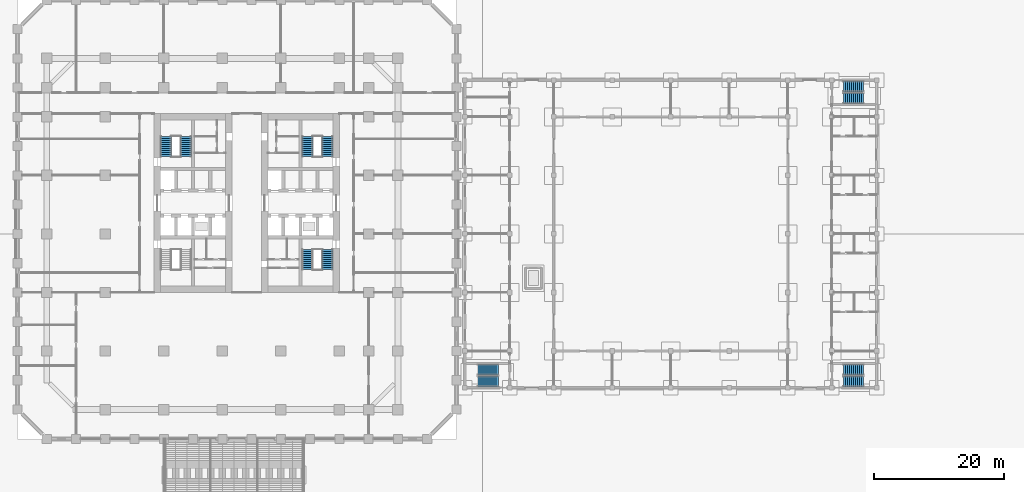
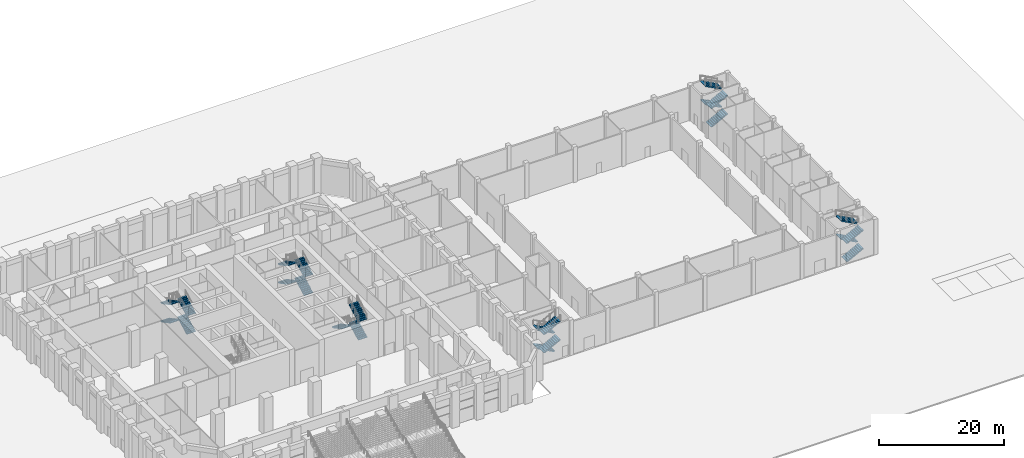
# One storey, part 21 of 30: 23 stair flights, 6 elements without a shape of their own.
"""IFC4 building model written with IfcOpenShell, lengths in metres."""

from ifc_helpers import new_model, si_unit, direction, frame, origin, place, context, subcontext, project, spatial, polyline, outline, extrude, material, type_object, element, aggregate, save


model = new_model("IFC4")

# Units and contexts
model_context = context("Model", 3, precision=1e-05, world=origin(), true_north=direction((0.0, 1.0)))
body_context = subcontext(model_context, "Body", "Model", "MODEL_VIEW")
ifc_project = project(units=[si_unit("LENGTHUNIT", "METRE"), si_unit("AREAUNIT", "SQUARE_METRE"), si_unit("VOLUMEUNIT", "CUBIC_METRE"), si_unit("PLANEANGLEUNIT", "RADIAN"), si_unit("MASSUNIT", "GRAM", prefix="KILO")], contexts=[model_context])

# Site, building, storey
site_placement = place(None, origin())
site = spatial("IfcSite", under=ifc_project, at=site_placement, CompositionType="ELEMENT")
building_placement = place(site_placement, origin())
building = spatial("IfcBuilding", under=site, at=building_placement, Name="Corbel Stack Research Tower", CompositionType="ELEMENT")
storey_placement = place(building_placement, origin())
storey = spatial("IfcBuildingStorey", under=building, at=storey_placement, Name="L00", CompositionType="ELEMENT", Elevation=0.0)

# Stair, stair flights
ifc_material_1 = material(Name="Concrete C40/50", Category="concrete")
stair_type_1 = type_object("IfcStairType", Name="HST1 exit stair", PredefinedType="HALF_TURN_STAIR", material=ifc_material_1)
stair_1_placement = place(storey_placement, origin())
stair_1 = element("IfcStair", 1, at=stair_1_placement, inside=storey, type_object=stair_type_1, Name="L00 exit stair 1", PredefinedType="HALF_TURN_STAIR")
ifc_material_2 = material(Name="Concrete C40/50", Category="concrete")
stair_flight_type_1 = type_object("IfcStairFlightType", Name="HST2 stair flight", PredefinedType="STRAIGHT", material=ifc_material_2)
stair_flight_1_placement = place(storey_placement, frame((42.425048828125, -20.875, 0.0), z_axis=(0.0, 0.0, 1.0), x_axis=(-1.0, 0.0, 0.0)))
stair_flight_1 = element("IfcStairFlight", 2, at=stair_flight_1_placement, type_object=stair_flight_type_1, Name="HS1 flight 1", NumberOfRisers=11, NumberOfTreads=10, PredefinedType="STRAIGHT", RiserHeight=0.163636364, TreadLength=0.31, context=body_context, shape_type="SweptSolid", body=[
    extrude(outline(polyline([(0.0, 0.0), (0.0, 0.16357421875), (0.31005859375, 0.16357421875), (0.31005859375, 0.327392578125), (0.6201171875, 0.327392578125), (0.6201171875, 0.490966796875), (0.929931640625, 0.490966796875), (0.929931640625, 0.654541015625), (1.239990234375, 0.654541015625), (1.239990234375, 0.818115234375), (1.550048828125, 0.818115234375), (1.550048828125, 0.98193359375), (1.860107421875, 0.98193359375), (1.860107421875, 1.1455078125), (2.169921875, 1.1455078125), (2.169921875, 1.30908203125), (2.47998046875, 1.30908203125), (2.47998046875, 1.47265625), (2.7900390625, 1.47265625), (2.7900390625, 1.636474609375), (3.10009765625, 1.636474609375), (3.10009765625, 1.800048828125), (3.10009765625, 1.466796875), (0.321044921875, 0.0), (0.0, 0.0)])), frame((0.0, 0.824951171875, 0.0), z_axis=(0.0, -1.0, 0.0), x_axis=(1.0, 0.0, 0.0)), (0.0, 0.0, 1.0), 1.64990234375),
])
stair_flight_2_placement = place(storey_placement, frame((39.324951171875, -22.675048828125, 1.800048828125), z_axis=(0.0, 0.0, 1.0), x_axis=(1.0, 0.0, 0.0)))
stair_flight_2 = element("IfcStairFlight", 3, at=stair_flight_2_placement, type_object=stair_flight_type_1, Name="HS1 flight 2", NumberOfRisers=11, NumberOfTreads=10, PredefinedType="STRAIGHT", RiserHeight=0.163636364, TreadLength=0.31, context=body_context, shape_type="SweptSolid", body=[
    extrude(outline(polyline([(0.0, 0.0), (0.0, 0.16357421875), (0.31005859375, 0.16357421875), (0.31005859375, 0.327392578125), (0.6201171875, 0.327392578125), (0.6201171875, 0.490966796875), (0.929931640625, 0.490966796875), (0.929931640625, 0.654541015625), (1.239990234375, 0.654541015625), (1.239990234375, 0.818115234375), (1.550048828125, 0.818115234375), (1.550048828125, 0.98193359375), (1.860107421875, 0.98193359375), (1.860107421875, 1.1455078125), (2.169921875, 1.1455078125), (2.169921875, 1.30908203125), (2.47998046875, 1.30908203125), (2.47998046875, 1.47265625), (2.7900390625, 1.47265625), (2.7900390625, 1.636474609375), (3.10009765625, 1.636474609375), (3.10009765625, 1.800048828125), (3.10009765625, 1.466796875), (0.321044921875, 0.0), (0.0, 0.0)])), frame((0.0, 0.824951171875, 0.0), z_axis=(0.0, -1.0, 0.0), x_axis=(1.0, 0.0, 0.0)), (0.0, 0.0, 1.0), 1.64990234375),
])
stair_flight_3_placement = place(storey_placement, frame((42.425048828125, -20.875, 3.60009765625), z_axis=(0.0, 0.0, 1.0), x_axis=(-1.0, 0.0, 0.0)))
stair_flight_3 = element("IfcStairFlight", 4, at=stair_flight_3_placement, type_object=stair_flight_type_1, Name="HS1 flight 3", NumberOfRisers=11, NumberOfTreads=10, PredefinedType="STRAIGHT", RiserHeight=0.163636364, TreadLength=0.31, context=body_context, shape_type="SweptSolid", body=[
    extrude(outline(polyline([(0.0, 0.0), (0.0, 0.16357421875), (0.31005859375, 0.16357421875), (0.31005859375, 0.327392578125), (0.6201171875, 0.327392578125), (0.6201171875, 0.490966796875), (0.929931640625, 0.490966796875), (0.929931640625, 0.654541015625), (1.239990234375, 0.654541015625), (1.239990234375, 0.818115234375), (1.550048828125, 0.818115234375), (1.550048828125, 0.98193359375), (1.860107421875, 0.98193359375), (1.860107421875, 1.1455078125), (2.169921875, 1.1455078125), (2.169921875, 1.30908203125), (2.47998046875, 1.30908203125), (2.47998046875, 1.47265625), (2.7900390625, 1.47265625), (2.7900390625, 1.636474609375), (3.10009765625, 1.636474609375), (3.10009765625, 1.800048828125), (3.10009765625, 1.466796875), (0.321044921875, 0.0), (0.0, 0.0)])), frame((0.0, 0.824951171875, 0.0), z_axis=(0.0, -1.0, 0.0), x_axis=(1.0, 0.0, 0.0)), (0.0, 0.0, 1.0), 1.64990234375),
])
stair_flight_4_placement = place(storey_placement, frame((39.324951171875, -22.675048828125, 5.39990234375), z_axis=(0.0, 0.0, 1.0), x_axis=(1.0, 0.0, 0.0)))
stair_flight_4 = element("IfcStairFlight", 5, at=stair_flight_4_placement, type_object=stair_flight_type_1, Name="HS1 flight 4", NumberOfRisers=11, NumberOfTreads=10, PredefinedType="STRAIGHT", RiserHeight=0.163636364, TreadLength=0.31, context=body_context, shape_type="SweptSolid", body=[
    extrude(outline(polyline([(0.0, 0.0), (0.0, 0.16357421875), (0.31005859375, 0.16357421875), (0.31005859375, 0.327392578125), (0.6201171875, 0.327392578125), (0.6201171875, 0.490966796875), (0.929931640625, 0.490966796875), (0.929931640625, 0.654541015625), (1.239990234375, 0.654541015625), (1.239990234375, 0.818115234375), (1.550048828125, 0.818115234375), (1.550048828125, 0.98193359375), (1.860107421875, 0.98193359375), (1.860107421875, 1.1455078125), (2.169921875, 1.1455078125), (2.169921875, 1.30908203125), (2.47998046875, 1.30908203125), (2.47998046875, 1.47265625), (2.7900390625, 1.47265625), (2.7900390625, 1.636474609375), (3.10009765625, 1.636474609375), (3.10009765625, 1.800048828125), (3.10009765625, 1.466796875), (0.321044921875, 0.0), (0.0, 0.0)])), frame((0.0, 0.824951171875, 0.0), z_axis=(0.0, -1.0, 0.0), x_axis=(1.0, 0.0, 0.0)), (0.0, 0.0, 1.0), 1.64990234375),
])
aggregate(stair_1, [stair_flight_1, stair_flight_2, stair_flight_3, stair_flight_4])

stair_2_placement = place(storey_placement, origin())
stair_2 = element("IfcStair", 6, at=stair_2_placement, inside=storey, type_object=stair_type_1, Name="L00 exit stair 2", PredefinedType="HALF_TURN_STAIR")
stair_flight_5_placement = place(storey_placement, frame((95.47509765625, 20.875, 0.0), z_axis=(0.0, 0.0, 1.0), x_axis=(1.0, 0.0, 0.0)))
stair_flight_5 = element("IfcStairFlight", 7, at=stair_flight_5_placement, type_object=stair_flight_type_1, Name="HS2 flight 1", NumberOfRisers=11, NumberOfTreads=10, PredefinedType="STRAIGHT", RiserHeight=0.163636364, TreadLength=0.31, context=body_context, shape_type="SweptSolid", body=[
    extrude(outline(polyline([(0.0, 0.0), (0.0, 0.16357421875), (0.31005859375, 0.16357421875), (0.31005859375, 0.327392578125), (0.6201171875, 0.327392578125), (0.6201171875, 0.490966796875), (0.929931640625, 0.490966796875), (0.929931640625, 0.654541015625), (1.239990234375, 0.654541015625), (1.239990234375, 0.818115234375), (1.550048828125, 0.818115234375), (1.550048828125, 0.98193359375), (1.860107421875, 0.98193359375), (1.860107421875, 1.1455078125), (2.169921875, 1.1455078125), (2.169921875, 1.30908203125), (2.47998046875, 1.30908203125), (2.47998046875, 1.47265625), (2.7900390625, 1.47265625), (2.7900390625, 1.636474609375), (3.10009765625, 1.636474609375), (3.10009765625, 1.800048828125), (3.10009765625, 1.466796875), (0.321044921875, 0.0), (0.0, 0.0)])), frame((0.0, 0.824951171875, 0.0), z_axis=(0.0, -1.0, 0.0), x_axis=(1.0, 0.0, 0.0)), (0.0, 0.0, 1.0), 1.64990234375),
])
stair_flight_6_placement = place(storey_placement, frame((98.574951171875, 22.675048828125, 1.800048828125), z_axis=(0.0, 0.0, 1.0), x_axis=(-1.0, 0.0, 0.0)))
stair_flight_6 = element("IfcStairFlight", 8, at=stair_flight_6_placement, type_object=stair_flight_type_1, Name="HS2 flight 2", NumberOfRisers=11, NumberOfTreads=10, PredefinedType="STRAIGHT", RiserHeight=0.163636364, TreadLength=0.31, context=body_context, shape_type="SweptSolid", body=[
    extrude(outline(polyline([(0.0, 0.0), (0.0, 0.16357421875), (0.31005859375, 0.16357421875), (0.31005859375, 0.327392578125), (0.6201171875, 0.327392578125), (0.6201171875, 0.490966796875), (0.929931640625, 0.490966796875), (0.929931640625, 0.654541015625), (1.239990234375, 0.654541015625), (1.239990234375, 0.818115234375), (1.550048828125, 0.818115234375), (1.550048828125, 0.98193359375), (1.860107421875, 0.98193359375), (1.860107421875, 1.1455078125), (2.169921875, 1.1455078125), (2.169921875, 1.30908203125), (2.47998046875, 1.30908203125), (2.47998046875, 1.47265625), (2.7900390625, 1.47265625), (2.7900390625, 1.636474609375), (3.10009765625, 1.636474609375), (3.10009765625, 1.800048828125), (3.10009765625, 1.466796875), (0.321044921875, 0.0), (0.0, 0.0)])), frame((0.0, 0.824951171875, 0.0), z_axis=(0.0, -1.0, 0.0), x_axis=(1.0, 0.0, 0.0)), (0.0, 0.0, 1.0), 1.64990234375),
])
stair_flight_7_placement = place(storey_placement, frame((95.47509765625, 20.875, 3.60009765625), z_axis=(0.0, 0.0, 1.0), x_axis=(1.0, 0.0, 0.0)))
stair_flight_7 = element("IfcStairFlight", 9, at=stair_flight_7_placement, type_object=stair_flight_type_1, Name="HS2 flight 3", NumberOfRisers=11, NumberOfTreads=10, PredefinedType="STRAIGHT", RiserHeight=0.163636364, TreadLength=0.31, context=body_context, shape_type="SweptSolid", body=[
    extrude(outline(polyline([(0.0, 0.0), (0.0, 0.16357421875), (0.31005859375, 0.16357421875), (0.31005859375, 0.327392578125), (0.6201171875, 0.327392578125), (0.6201171875, 0.490966796875), (0.929931640625, 0.490966796875), (0.929931640625, 0.654541015625), (1.239990234375, 0.654541015625), (1.239990234375, 0.818115234375), (1.550048828125, 0.818115234375), (1.550048828125, 0.98193359375), (1.860107421875, 0.98193359375), (1.860107421875, 1.1455078125), (2.169921875, 1.1455078125), (2.169921875, 1.30908203125), (2.47998046875, 1.30908203125), (2.47998046875, 1.47265625), (2.7900390625, 1.47265625), (2.7900390625, 1.636474609375), (3.10009765625, 1.636474609375), (3.10009765625, 1.800048828125), (3.10009765625, 1.466796875), (0.321044921875, 0.0), (0.0, 0.0)])), frame((0.0, 0.824951171875, 0.0), z_axis=(0.0, -1.0, 0.0), x_axis=(1.0, 0.0, 0.0)), (0.0, 0.0, 1.0), 1.64990234375),
])
stair_flight_8_placement = place(storey_placement, frame((98.574951171875, 22.675048828125, 5.39990234375), z_axis=(0.0, 0.0, 1.0), x_axis=(-1.0, 0.0, 0.0)))
stair_flight_8 = element("IfcStairFlight", 10, at=stair_flight_8_placement, type_object=stair_flight_type_1, Name="HS2 flight 4", NumberOfRisers=11, NumberOfTreads=10, PredefinedType="STRAIGHT", RiserHeight=0.163636364, TreadLength=0.31, context=body_context, shape_type="SweptSolid", body=[
    extrude(outline(polyline([(0.0, 0.0), (0.0, 0.16357421875), (0.31005859375, 0.16357421875), (0.31005859375, 0.327392578125), (0.6201171875, 0.327392578125), (0.6201171875, 0.490966796875), (0.929931640625, 0.490966796875), (0.929931640625, 0.654541015625), (1.239990234375, 0.654541015625), (1.239990234375, 0.818115234375), (1.550048828125, 0.818115234375), (1.550048828125, 0.98193359375), (1.860107421875, 0.98193359375), (1.860107421875, 1.1455078125), (2.169921875, 1.1455078125), (2.169921875, 1.30908203125), (2.47998046875, 1.30908203125), (2.47998046875, 1.47265625), (2.7900390625, 1.47265625), (2.7900390625, 1.636474609375), (3.10009765625, 1.636474609375), (3.10009765625, 1.800048828125), (3.10009765625, 1.466796875), (0.321044921875, 0.0), (0.0, 0.0)])), frame((0.0, 0.824951171875, 0.0), z_axis=(0.0, -1.0, 0.0), x_axis=(1.0, 0.0, 0.0)), (0.0, 0.0, 1.0), 1.64990234375),
])
aggregate(stair_2, [stair_flight_5, stair_flight_6, stair_flight_7, stair_flight_8])

stair_3_placement = place(storey_placement, origin())
stair_3 = element("IfcStair", 11, at=stair_3_placement, inside=storey, type_object=stair_type_1, Name="L00 exit stair 3", PredefinedType="HALF_TURN_STAIR")
stair_flight_9_placement = place(storey_placement, frame((95.47509765625, -22.675048828125, 0.0), z_axis=(0.0, 0.0, 1.0), x_axis=(1.0, 0.0, 0.0)))
stair_flight_9 = element("IfcStairFlight", 12, at=stair_flight_9_placement, type_object=stair_flight_type_1, Name="HS3 flight 1", NumberOfRisers=11, NumberOfTreads=10, PredefinedType="STRAIGHT", RiserHeight=0.163636364, TreadLength=0.31, context=body_context, shape_type="SweptSolid", body=[
    extrude(outline(polyline([(0.0, 0.0), (0.0, 0.16357421875), (0.31005859375, 0.16357421875), (0.31005859375, 0.327392578125), (0.6201171875, 0.327392578125), (0.6201171875, 0.490966796875), (0.929931640625, 0.490966796875), (0.929931640625, 0.654541015625), (1.239990234375, 0.654541015625), (1.239990234375, 0.818115234375), (1.550048828125, 0.818115234375), (1.550048828125, 0.98193359375), (1.860107421875, 0.98193359375), (1.860107421875, 1.1455078125), (2.169921875, 1.1455078125), (2.169921875, 1.30908203125), (2.47998046875, 1.30908203125), (2.47998046875, 1.47265625), (2.7900390625, 1.47265625), (2.7900390625, 1.636474609375), (3.10009765625, 1.636474609375), (3.10009765625, 1.800048828125), (3.10009765625, 1.466796875), (0.321044921875, 0.0), (0.0, 0.0)])), frame((0.0, 0.824951171875, 0.0), z_axis=(0.0, -1.0, 0.0), x_axis=(1.0, 0.0, 0.0)), (0.0, 0.0, 1.0), 1.64990234375),
])
stair_flight_10_placement = place(storey_placement, frame((98.574951171875, -20.875, 1.800048828125), z_axis=(0.0, 0.0, 1.0), x_axis=(-1.0, 0.0, 0.0)))
stair_flight_10 = element("IfcStairFlight", 13, at=stair_flight_10_placement, type_object=stair_flight_type_1, Name="HS3 flight 2", NumberOfRisers=11, NumberOfTreads=10, PredefinedType="STRAIGHT", RiserHeight=0.163636364, TreadLength=0.31, context=body_context, shape_type="SweptSolid", body=[
    extrude(outline(polyline([(0.0, 0.0), (0.0, 0.16357421875), (0.31005859375, 0.16357421875), (0.31005859375, 0.327392578125), (0.6201171875, 0.327392578125), (0.6201171875, 0.490966796875), (0.929931640625, 0.490966796875), (0.929931640625, 0.654541015625), (1.239990234375, 0.654541015625), (1.239990234375, 0.818115234375), (1.550048828125, 0.818115234375), (1.550048828125, 0.98193359375), (1.860107421875, 0.98193359375), (1.860107421875, 1.1455078125), (2.169921875, 1.1455078125), (2.169921875, 1.30908203125), (2.47998046875, 1.30908203125), (2.47998046875, 1.47265625), (2.7900390625, 1.47265625), (2.7900390625, 1.636474609375), (3.10009765625, 1.636474609375), (3.10009765625, 1.800048828125), (3.10009765625, 1.466796875), (0.321044921875, 0.0), (0.0, 0.0)])), frame((0.0, 0.824951171875, 0.0), z_axis=(0.0, -1.0, 0.0), x_axis=(1.0, 0.0, 0.0)), (0.0, 0.0, 1.0), 1.64990234375),
])
stair_flight_11_placement = place(storey_placement, frame((95.47509765625, -22.675048828125, 3.60009765625), z_axis=(0.0, 0.0, 1.0), x_axis=(1.0, 0.0, 0.0)))
stair_flight_11 = element("IfcStairFlight", 14, at=stair_flight_11_placement, type_object=stair_flight_type_1, Name="HS3 flight 3", NumberOfRisers=11, NumberOfTreads=10, PredefinedType="STRAIGHT", RiserHeight=0.163636364, TreadLength=0.31, context=body_context, shape_type="SweptSolid", body=[
    extrude(outline(polyline([(0.0, 0.0), (0.0, 0.16357421875), (0.31005859375, 0.16357421875), (0.31005859375, 0.327392578125), (0.6201171875, 0.327392578125), (0.6201171875, 0.490966796875), (0.929931640625, 0.490966796875), (0.929931640625, 0.654541015625), (1.239990234375, 0.654541015625), (1.239990234375, 0.818115234375), (1.550048828125, 0.818115234375), (1.550048828125, 0.98193359375), (1.860107421875, 0.98193359375), (1.860107421875, 1.1455078125), (2.169921875, 1.1455078125), (2.169921875, 1.30908203125), (2.47998046875, 1.30908203125), (2.47998046875, 1.47265625), (2.7900390625, 1.47265625), (2.7900390625, 1.636474609375), (3.10009765625, 1.636474609375), (3.10009765625, 1.800048828125), (3.10009765625, 1.466796875), (0.321044921875, 0.0), (0.0, 0.0)])), frame((0.0, 0.824951171875, 0.0), z_axis=(0.0, -1.0, 0.0), x_axis=(1.0, 0.0, 0.0)), (0.0, 0.0, 1.0), 1.64990234375),
])
stair_flight_12_placement = place(storey_placement, frame((98.574951171875, -20.875, 5.39990234375), z_axis=(0.0, 0.0, 1.0), x_axis=(-1.0, 0.0, 0.0)))
stair_flight_12 = element("IfcStairFlight", 15, at=stair_flight_12_placement, type_object=stair_flight_type_1, Name="HS3 flight 4", NumberOfRisers=11, NumberOfTreads=10, PredefinedType="STRAIGHT", RiserHeight=0.163636364, TreadLength=0.31, context=body_context, shape_type="SweptSolid", body=[
    extrude(outline(polyline([(0.0, 0.0), (0.0, 0.16357421875), (0.31005859375, 0.16357421875), (0.31005859375, 0.327392578125), (0.6201171875, 0.327392578125), (0.6201171875, 0.490966796875), (0.929931640625, 0.490966796875), (0.929931640625, 0.654541015625), (1.239990234375, 0.654541015625), (1.239990234375, 0.818115234375), (1.550048828125, 0.818115234375), (1.550048828125, 0.98193359375), (1.860107421875, 0.98193359375), (1.860107421875, 1.1455078125), (2.169921875, 1.1455078125), (2.169921875, 1.30908203125), (2.47998046875, 1.30908203125), (2.47998046875, 1.47265625), (2.7900390625, 1.47265625), (2.7900390625, 1.636474609375), (3.10009765625, 1.636474609375), (3.10009765625, 1.800048828125), (3.10009765625, 1.466796875), (0.321044921875, 0.0), (0.0, 0.0)])), frame((0.0, 0.824951171875, 0.0), z_axis=(0.0, -1.0, 0.0), x_axis=(1.0, 0.0, 0.0)), (0.0, 0.0, 1.0), 1.64990234375),
])
aggregate(stair_3, [stair_flight_9, stair_flight_10, stair_flight_11, stair_flight_12])

ifc_material_3 = material(Name="Concrete C40/50", Category="concrete")
stair_type_2 = type_object("IfcStairType", Name="Exit stair 44 risers, 310 going", PredefinedType="HALF_TURN_STAIR", material=ifc_material_3)
stair_4_placement = place(storey_placement, origin())
stair_4 = element("IfcStair", 16, at=stair_4_placement, inside=storey, type_object=stair_type_2, Name="L00 Exit stair ST-W2", PredefinedType="HALF_TURN_STAIR")
ifc_material_4 = material(Name="Concrete C40/50", Category="concrete")
stair_flight_type_2 = type_object("IfcStairFlightType", Name="Stair flight 11 risers, 310 going", PredefinedType="STRAIGHT", material=ifc_material_4)
stair_flight_13_placement = place(storey_placement, frame((-5.574951171875, 11.89990234375, 0.0), z_axis=(0.0, 0.0, 1.0), x_axis=(0.0, 1.0, 0.0)))
stair_flight_13 = element("IfcStairFlight", 17, at=stair_flight_13_placement, type_object=stair_flight_type_2, Name="ST-W2 flight 1", NumberOfRisers=11, NumberOfTreads=10, PredefinedType="STRAIGHT", RiserHeight=0.163636364, TreadLength=0.31, context=body_context, shape_type="SweptSolid", body=[
    extrude(outline(polyline([(0.0, 0.0), (0.0, 0.16357421875), (0.31005859375, 0.16357421875), (0.31005859375, 0.327392578125), (0.6201171875, 0.327392578125), (0.6201171875, 0.490966796875), (0.929931640625, 0.490966796875), (0.929931640625, 0.654541015625), (1.239990234375, 0.654541015625), (1.239990234375, 0.818115234375), (1.550048828125, 0.818115234375), (1.550048828125, 0.98193359375), (1.860107421875, 0.98193359375), (1.860107421875, 1.1455078125), (2.169921875, 1.1455078125), (2.169921875, 1.30908203125), (2.47998046875, 1.30908203125), (2.47998046875, 1.47265625), (2.7900390625, 1.47265625), (2.7900390625, 1.636474609375), (3.10009765625, 1.636474609375), (3.10009765625, 1.800048828125), (3.10009765625, 1.466796875), (0.321044921875, 0.0), (0.0, 0.0)])), frame((0.0, 0.824951171875, 0.0), z_axis=(0.0, -1.0, 0.0), x_axis=(1.0, 0.0, 0.0)), (0.0, 0.0, 1.0), 1.64990234375),
])
stair_flight_14_placement = place(storey_placement, frame((-8.675048828125, 15.0, 1.800048828125), z_axis=(0.0, 0.0, 1.0), x_axis=(0.0, -1.0, 0.0)))
stair_flight_14 = element("IfcStairFlight", 18, at=stair_flight_14_placement, type_object=stair_flight_type_2, Name="ST-W2 flight 2", NumberOfRisers=11, NumberOfTreads=10, PredefinedType="STRAIGHT", RiserHeight=0.163636364, TreadLength=0.31, context=body_context, shape_type="SweptSolid", body=[
    extrude(outline(polyline([(0.0, 0.0), (0.0, 0.16357421875), (0.31005859375, 0.16357421875), (0.31005859375, 0.327392578125), (0.6201171875, 0.327392578125), (0.6201171875, 0.490966796875), (0.929931640625, 0.490966796875), (0.929931640625, 0.654541015625), (1.239990234375, 0.654541015625), (1.239990234375, 0.818115234375), (1.550048828125, 0.818115234375), (1.550048828125, 0.98193359375), (1.860107421875, 0.98193359375), (1.860107421875, 1.1455078125), (2.169921875, 1.1455078125), (2.169921875, 1.30908203125), (2.47998046875, 1.30908203125), (2.47998046875, 1.47265625), (2.7900390625, 1.47265625), (2.7900390625, 1.636474609375), (3.10009765625, 1.636474609375), (3.10009765625, 1.800048828125), (3.10009765625, 1.466796875), (0.321044921875, 0.0), (0.0, 0.0)])), frame((0.0, 0.824951171875, 0.0), z_axis=(0.0, -1.0, 0.0), x_axis=(1.0, 0.0, 0.0)), (0.0, 0.0, 1.0), 1.64990234375),
])
stair_flight_15_placement = place(storey_placement, frame((-5.574951171875, 11.89990234375, 3.60009765625), z_axis=(0.0, 0.0, 1.0), x_axis=(0.0, 1.0, 0.0)))
stair_flight_15 = element("IfcStairFlight", 19, at=stair_flight_15_placement, type_object=stair_flight_type_2, Name="ST-W2 flight 3", NumberOfRisers=11, NumberOfTreads=10, PredefinedType="STRAIGHT", RiserHeight=0.163636364, TreadLength=0.31, context=body_context, shape_type="SweptSolid", body=[
    extrude(outline(polyline([(0.0, 0.0), (0.0, 0.16357421875), (0.31005859375, 0.16357421875), (0.31005859375, 0.327392578125), (0.6201171875, 0.327392578125), (0.6201171875, 0.490966796875), (0.929931640625, 0.490966796875), (0.929931640625, 0.654541015625), (1.239990234375, 0.654541015625), (1.239990234375, 0.818115234375), (1.550048828125, 0.818115234375), (1.550048828125, 0.98193359375), (1.860107421875, 0.98193359375), (1.860107421875, 1.1455078125), (2.169921875, 1.1455078125), (2.169921875, 1.30908203125), (2.47998046875, 1.30908203125), (2.47998046875, 1.47265625), (2.7900390625, 1.47265625), (2.7900390625, 1.636474609375), (3.10009765625, 1.636474609375), (3.10009765625, 1.800048828125), (3.10009765625, 1.466796875), (0.321044921875, 0.0), (0.0, 0.0)])), frame((0.0, 0.824951171875, 0.0), z_axis=(0.0, -1.0, 0.0), x_axis=(1.0, 0.0, 0.0)), (0.0, 0.0, 1.0), 1.64990234375),
])
stair_flight_16_placement = place(storey_placement, frame((-8.675048828125, 15.0, 5.39990234375), z_axis=(0.0, 0.0, 1.0), x_axis=(0.0, -1.0, 0.0)))
stair_flight_16 = element("IfcStairFlight", 20, at=stair_flight_16_placement, type_object=stair_flight_type_2, Name="ST-W2 flight 4", NumberOfRisers=11, NumberOfTreads=10, PredefinedType="STRAIGHT", RiserHeight=0.163636364, TreadLength=0.31, context=body_context, shape_type="SweptSolid", body=[
    extrude(outline(polyline([(0.0, 0.0), (0.0, 0.16357421875), (0.31005859375, 0.16357421875), (0.31005859375, 0.327392578125), (0.6201171875, 0.327392578125), (0.6201171875, 0.490966796875), (0.929931640625, 0.490966796875), (0.929931640625, 0.654541015625), (1.239990234375, 0.654541015625), (1.239990234375, 0.818115234375), (1.550048828125, 0.818115234375), (1.550048828125, 0.98193359375), (1.860107421875, 0.98193359375), (1.860107421875, 1.1455078125), (2.169921875, 1.1455078125), (2.169921875, 1.30908203125), (2.47998046875, 1.30908203125), (2.47998046875, 1.47265625), (2.7900390625, 1.47265625), (2.7900390625, 1.636474609375), (3.10009765625, 1.636474609375), (3.10009765625, 1.800048828125), (3.10009765625, 1.466796875), (0.321044921875, 0.0), (0.0, 0.0)])), frame((0.0, 0.824951171875, 0.0), z_axis=(0.0, -1.0, 0.0), x_axis=(1.0, 0.0, 0.0)), (0.0, 0.0, 1.0), 1.64990234375),
])
aggregate(stair_4, [stair_flight_13, stair_flight_14, stair_flight_15, stair_flight_16])

stair_5_placement = place(storey_placement, origin())
stair_5 = element("IfcStair", 21, at=stair_5_placement, inside=storey, type_object=stair_type_2, Name="L00 Exit stair ST-E1", PredefinedType="HALF_TURN_STAIR")
stair_flight_17_placement = place(storey_placement, frame((16.175048828125, -5.5, 1.800048828125), z_axis=(0.0, 0.0, 1.0), x_axis=(0.0, 1.0, 0.0)))
stair_flight_17 = element("IfcStairFlight", 22, at=stair_flight_17_placement, type_object=stair_flight_type_2, Name="ST-E1 flight 2", NumberOfRisers=11, NumberOfTreads=10, PredefinedType="STRAIGHT", RiserHeight=0.163636364, TreadLength=0.31, context=body_context, shape_type="SweptSolid", body=[
    extrude(outline(polyline([(0.0, 0.0), (0.0, 0.16357421875), (0.31005859375, 0.16357421875), (0.31005859375, 0.327392578125), (0.6201171875, 0.327392578125), (0.6201171875, 0.490966796875), (0.929931640625, 0.490966796875), (0.929931640625, 0.654541015625), (1.239990234375, 0.654541015625), (1.239990234375, 0.818115234375), (1.550048828125, 0.818115234375), (1.550048828125, 0.98193359375), (1.860107421875, 0.98193359375), (1.860107421875, 1.1455078125), (2.169921875, 1.1455078125), (2.169921875, 1.30908203125), (2.47998046875, 1.30908203125), (2.47998046875, 1.47265625), (2.7900390625, 1.47265625), (2.7900390625, 1.636474609375), (3.10009765625, 1.636474609375), (3.10009765625, 1.800048828125), (3.10009765625, 1.466796875), (0.321044921875, 0.0), (0.0, 0.0)])), frame((0.0, 0.824951171875, 0.0), z_axis=(0.0, -1.0, 0.0), x_axis=(1.0, 0.0, 0.0)), (0.0, 0.0, 1.0), 1.64990234375),
])
stair_flight_18_placement = place(storey_placement, frame((13.074951171875, -2.39990234375, 3.60009765625), z_axis=(0.0, 0.0, 1.0), x_axis=(0.0, -1.0, 0.0)))
stair_flight_18 = element("IfcStairFlight", 23, at=stair_flight_18_placement, type_object=stair_flight_type_2, Name="ST-E1 flight 3", NumberOfRisers=11, NumberOfTreads=10, PredefinedType="STRAIGHT", RiserHeight=0.163636364, TreadLength=0.31, context=body_context, shape_type="SweptSolid", body=[
    extrude(outline(polyline([(0.0, 0.0), (0.0, 0.16357421875), (0.31005859375, 0.16357421875), (0.31005859375, 0.327392578125), (0.6201171875, 0.327392578125), (0.6201171875, 0.490966796875), (0.929931640625, 0.490966796875), (0.929931640625, 0.654541015625), (1.239990234375, 0.654541015625), (1.239990234375, 0.818115234375), (1.550048828125, 0.818115234375), (1.550048828125, 0.98193359375), (1.860107421875, 0.98193359375), (1.860107421875, 1.1455078125), (2.169921875, 1.1455078125), (2.169921875, 1.30908203125), (2.47998046875, 1.30908203125), (2.47998046875, 1.47265625), (2.7900390625, 1.47265625), (2.7900390625, 1.636474609375), (3.10009765625, 1.636474609375), (3.10009765625, 1.800048828125), (3.10009765625, 1.466796875), (0.321044921875, 0.0), (0.0, 0.0)])), frame((0.0, 0.824951171875, 0.0), z_axis=(0.0, -1.0, 0.0), x_axis=(1.0, 0.0, 0.0)), (0.0, 0.0, 1.0), 1.64990234375),
])
stair_flight_19_placement = place(storey_placement, frame((16.175048828125, -5.5, 5.39990234375), z_axis=(0.0, 0.0, 1.0), x_axis=(0.0, 1.0, 0.0)))
stair_flight_19 = element("IfcStairFlight", 24, at=stair_flight_19_placement, type_object=stair_flight_type_2, Name="ST-E1 flight 4", NumberOfRisers=11, NumberOfTreads=10, PredefinedType="STRAIGHT", RiserHeight=0.163636364, TreadLength=0.31, context=body_context, shape_type="SweptSolid", body=[
    extrude(outline(polyline([(0.0, 0.0), (0.0, 0.16357421875), (0.31005859375, 0.16357421875), (0.31005859375, 0.327392578125), (0.6201171875, 0.327392578125), (0.6201171875, 0.490966796875), (0.929931640625, 0.490966796875), (0.929931640625, 0.654541015625), (1.239990234375, 0.654541015625), (1.239990234375, 0.818115234375), (1.550048828125, 0.818115234375), (1.550048828125, 0.98193359375), (1.860107421875, 0.98193359375), (1.860107421875, 1.1455078125), (2.169921875, 1.1455078125), (2.169921875, 1.30908203125), (2.47998046875, 1.30908203125), (2.47998046875, 1.47265625), (2.7900390625, 1.47265625), (2.7900390625, 1.636474609375), (3.10009765625, 1.636474609375), (3.10009765625, 1.800048828125), (3.10009765625, 1.466796875), (0.321044921875, 0.0), (0.0, 0.0)])), frame((0.0, 0.824951171875, 0.0), z_axis=(0.0, -1.0, 0.0), x_axis=(1.0, 0.0, 0.0)), (0.0, 0.0, 1.0), 1.64990234375),
])
aggregate(stair_5, [stair_flight_17, stair_flight_18, stair_flight_19])

stair_6_placement = place(storey_placement, origin())
stair_6 = element("IfcStair", 25, at=stair_6_placement, inside=storey, type_object=stair_type_2, Name="L00 Exit stair ST-E2", PredefinedType="HALF_TURN_STAIR")
stair_flight_20_placement = place(storey_placement, frame((16.175048828125, 11.89990234375, 0.0), z_axis=(0.0, 0.0, 1.0), x_axis=(0.0, 1.0, 0.0)))
stair_flight_20 = element("IfcStairFlight", 26, at=stair_flight_20_placement, type_object=stair_flight_type_2, Name="ST-E2 flight 1", NumberOfRisers=11, NumberOfTreads=10, PredefinedType="STRAIGHT", RiserHeight=0.163636364, TreadLength=0.31, context=body_context, shape_type="SweptSolid", body=[
    extrude(outline(polyline([(0.0, 0.0), (0.0, 0.16357421875), (0.31005859375, 0.16357421875), (0.31005859375, 0.327392578125), (0.6201171875, 0.327392578125), (0.6201171875, 0.490966796875), (0.929931640625, 0.490966796875), (0.929931640625, 0.654541015625), (1.239990234375, 0.654541015625), (1.239990234375, 0.818115234375), (1.550048828125, 0.818115234375), (1.550048828125, 0.98193359375), (1.860107421875, 0.98193359375), (1.860107421875, 1.1455078125), (2.169921875, 1.1455078125), (2.169921875, 1.30908203125), (2.47998046875, 1.30908203125), (2.47998046875, 1.47265625), (2.7900390625, 1.47265625), (2.7900390625, 1.636474609375), (3.10009765625, 1.636474609375), (3.10009765625, 1.800048828125), (3.10009765625, 1.466796875), (0.321044921875, 0.0), (0.0, 0.0)])), frame((0.0, 0.824951171875, 0.0), z_axis=(0.0, -1.0, 0.0), x_axis=(1.0, 0.0, 0.0)), (0.0, 0.0, 1.0), 1.64990234375),
])
stair_flight_21_placement = place(storey_placement, frame((13.074951171875, 15.0, 1.800048828125), z_axis=(0.0, 0.0, 1.0), x_axis=(0.0, -1.0, 0.0)))
stair_flight_21 = element("IfcStairFlight", 27, at=stair_flight_21_placement, type_object=stair_flight_type_2, Name="ST-E2 flight 2", NumberOfRisers=11, NumberOfTreads=10, PredefinedType="STRAIGHT", RiserHeight=0.163636364, TreadLength=0.31, context=body_context, shape_type="SweptSolid", body=[
    extrude(outline(polyline([(0.0, 0.0), (0.0, 0.16357421875), (0.31005859375, 0.16357421875), (0.31005859375, 0.327392578125), (0.6201171875, 0.327392578125), (0.6201171875, 0.490966796875), (0.929931640625, 0.490966796875), (0.929931640625, 0.654541015625), (1.239990234375, 0.654541015625), (1.239990234375, 0.818115234375), (1.550048828125, 0.818115234375), (1.550048828125, 0.98193359375), (1.860107421875, 0.98193359375), (1.860107421875, 1.1455078125), (2.169921875, 1.1455078125), (2.169921875, 1.30908203125), (2.47998046875, 1.30908203125), (2.47998046875, 1.47265625), (2.7900390625, 1.47265625), (2.7900390625, 1.636474609375), (3.10009765625, 1.636474609375), (3.10009765625, 1.800048828125), (3.10009765625, 1.466796875), (0.321044921875, 0.0), (0.0, 0.0)])), frame((0.0, 0.824951171875, 0.0), z_axis=(0.0, -1.0, 0.0), x_axis=(1.0, 0.0, 0.0)), (0.0, 0.0, 1.0), 1.64990234375),
])
stair_flight_22_placement = place(storey_placement, frame((16.175048828125, 11.89990234375, 3.60009765625), z_axis=(0.0, 0.0, 1.0), x_axis=(0.0, 1.0, 0.0)))
stair_flight_22 = element("IfcStairFlight", 28, at=stair_flight_22_placement, type_object=stair_flight_type_2, Name="ST-E2 flight 3", NumberOfRisers=11, NumberOfTreads=10, PredefinedType="STRAIGHT", RiserHeight=0.163636364, TreadLength=0.31, context=body_context, shape_type="SweptSolid", body=[
    extrude(outline(polyline([(0.0, 0.0), (0.0, 0.16357421875), (0.31005859375, 0.16357421875), (0.31005859375, 0.327392578125), (0.6201171875, 0.327392578125), (0.6201171875, 0.490966796875), (0.929931640625, 0.490966796875), (0.929931640625, 0.654541015625), (1.239990234375, 0.654541015625), (1.239990234375, 0.818115234375), (1.550048828125, 0.818115234375), (1.550048828125, 0.98193359375), (1.860107421875, 0.98193359375), (1.860107421875, 1.1455078125), (2.169921875, 1.1455078125), (2.169921875, 1.30908203125), (2.47998046875, 1.30908203125), (2.47998046875, 1.47265625), (2.7900390625, 1.47265625), (2.7900390625, 1.636474609375), (3.10009765625, 1.636474609375), (3.10009765625, 1.800048828125), (3.10009765625, 1.466796875), (0.321044921875, 0.0), (0.0, 0.0)])), frame((0.0, 0.824951171875, 0.0), z_axis=(0.0, -1.0, 0.0), x_axis=(1.0, 0.0, 0.0)), (0.0, 0.0, 1.0), 1.64990234375),
])
stair_flight_23_placement = place(storey_placement, frame((13.074951171875, 15.0, 5.39990234375), z_axis=(0.0, 0.0, 1.0), x_axis=(0.0, -1.0, 0.0)))
stair_flight_23 = element("IfcStairFlight", 29, at=stair_flight_23_placement, type_object=stair_flight_type_2, Name="ST-E2 flight 4", NumberOfRisers=11, NumberOfTreads=10, PredefinedType="STRAIGHT", RiserHeight=0.163636364, TreadLength=0.31, context=body_context, shape_type="SweptSolid", body=[
    extrude(outline(polyline([(0.0, 0.0), (0.0, 0.16357421875), (0.31005859375, 0.16357421875), (0.31005859375, 0.327392578125), (0.6201171875, 0.327392578125), (0.6201171875, 0.490966796875), (0.929931640625, 0.490966796875), (0.929931640625, 0.654541015625), (1.239990234375, 0.654541015625), (1.239990234375, 0.818115234375), (1.550048828125, 0.818115234375), (1.550048828125, 0.98193359375), (1.860107421875, 0.98193359375), (1.860107421875, 1.1455078125), (2.169921875, 1.1455078125), (2.169921875, 1.30908203125), (2.47998046875, 1.30908203125), (2.47998046875, 1.47265625), (2.7900390625, 1.47265625), (2.7900390625, 1.636474609375), (3.10009765625, 1.636474609375), (3.10009765625, 1.800048828125), (3.10009765625, 1.466796875), (0.321044921875, 0.0), (0.0, 0.0)])), frame((0.0, 0.824951171875, 0.0), z_axis=(0.0, -1.0, 0.0), x_axis=(1.0, 0.0, 0.0)), (0.0, 0.0, 1.0), 1.64990234375),
])
aggregate(stair_6, [stair_flight_20, stair_flight_21, stair_flight_22, stair_flight_23])

save(model, "model.ifc")
